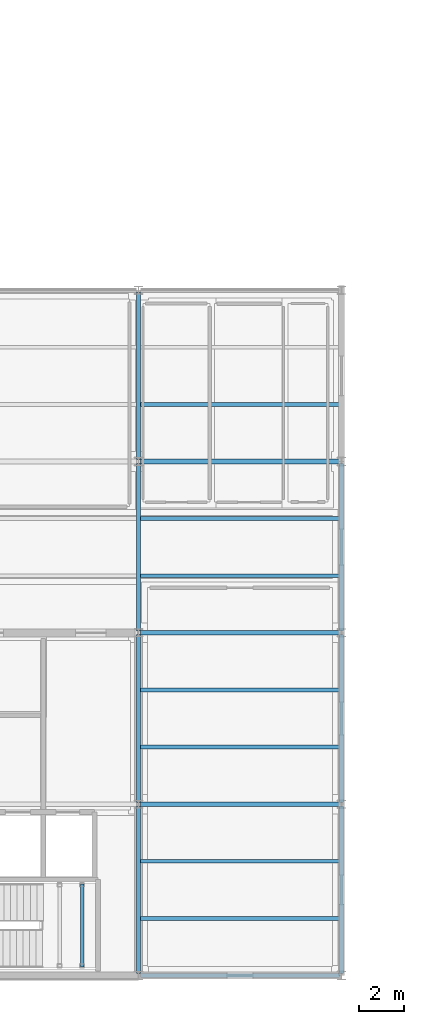
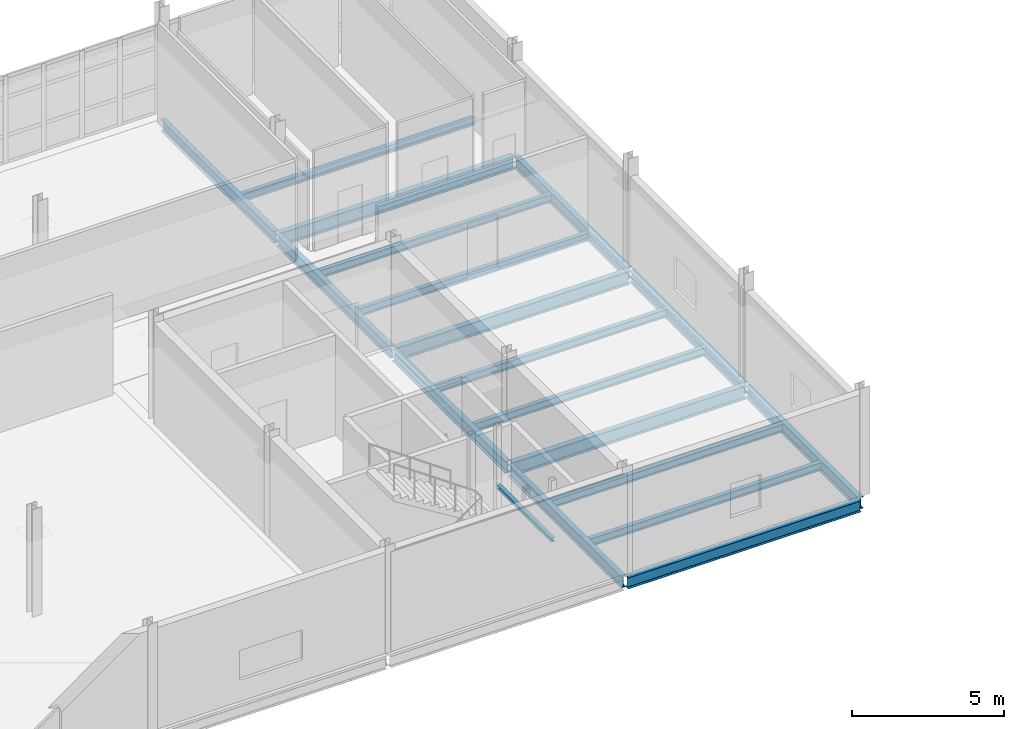
# One storey, part 57 of 174: 19 beams.
"""IFC4 building model written with IfcOpenShell, lengths in metres."""

from ifc_helpers import new_model, si_unit, direction, frame, origin, origin_2d, place, context, subcontext, project, spatial, i_section, extrude, material, material_profile, profile_set, type_object, element, save


model = new_model("IFC4")

# Units and contexts
model_context = context("Model", 3, precision=1e-05, world=origin(), true_north=direction((0.0, 1.0)))
body_context = subcontext(model_context, "Body", "Model", "MODEL_VIEW")
ifc_project = project(units=[si_unit("LENGTHUNIT", "METRE"), si_unit("AREAUNIT", "SQUARE_METRE"), si_unit("VOLUMEUNIT", "CUBIC_METRE"), si_unit("PLANEANGLEUNIT", "RADIAN"), si_unit("MASSUNIT", "GRAM", prefix="KILO")], contexts=[model_context])

# Site, building, storey
site_placement = place(None, origin())
site = spatial("IfcSite", under=ifc_project, at=site_placement, CompositionType="ELEMENT")
building_placement = place(site_placement, origin())
building = spatial("IfcBuilding", under=site, at=building_placement, Name="Caisbarro Railhouse Central Library", CompositionType="ELEMENT")
storey_placement = place(building_placement, frame((0.0, 0.0, 5.0400390625)))
storey = spatial("IfcBuildingStorey", under=building, at=storey_placement, Name="L01", CompositionType="ELEMENT", Elevation=5.0400390625)

# Beams
ifc_material = material(Name="Steel ASTM A572 Grade 50", Category="steel")
ifc_material_profile_1 = material_profile(ifc_material, i_section(OverallWidth=0.2119140625, OverallDepth=0.5439453125, WebThickness=0.01318359375, FlangeThickness=0.021240234375, FilletRadius=0.02001953125, at=origin_2d()), Name="W530X123.0")
ifc_profile_set_1 = profile_set([ifc_material_profile_1], Name="Steel ASTM A572 Grade 50")
beam_type_1 = type_object("IfcBeamType", Name="BM-G05", PredefinedType="BEAM", material=ifc_profile_set_1)
for number, where, z_axis, x_axis, name in (
    (1, (99.080078125, 7.60009765625, -0.511962890625), (1.0, 0.0, 0.0), (0.0, 1.0, 0.0), "G05 beam L01 #703"),
    (2, (99.080078125, 15.199951171875, -0.511962890625), (1.0, 0.0, 0.0), (0.0, 1.0, 0.0), "G05 beam L01 #709"),
    (3, (99.080078125, 22.800048828125, -0.511962890625), (1.0, 0.0, 0.0), (0.0, 1.0, 0.0), "G05 beam L01 #715"),
):
    element("IfcBeam", number, at=place(storey_placement, frame(where, z_axis=z_axis, x_axis=x_axis)), inside=storey, type_object=beam_type_1, Name=name, PredefinedType="BEAM", context=body_context, shape_type="SweptSolid", body=[
        extrude(i_section(OverallWidth=0.2119140625, OverallDepth=0.5439453125, WebThickness=0.01318359375, FlangeThickness=0.021240234375, FilletRadius=0.02001953125, at=origin_2d()), origin(), (0.0, 0.0, 1.0), 8.83984375),
    ])
ifc_material_profile_2 = material_profile(ifc_material, i_section(OverallWidth=0.194091796875, OverallDepth=0.468994140625, WebThickness=0.0126953125, FlangeThickness=0.0205078125, FilletRadius=0.01806640625, at=origin_2d()), Name="W460X106.0")
ifc_profile_set_2 = profile_set([ifc_material_profile_2], Name="Steel ASTM A572 Grade 50")
beam_type_2 = type_object("IfcBeamType", Name="BM-G07", PredefinedType="BEAM", material=ifc_profile_set_2)
beam_1_placement = place(storey_placement, frame((99.0, 0.080078125, -0.474609375), z_axis=(0.0, 1.0, 0.0), x_axis=(-1.0, 0.0, 0.0)))
element("IfcBeam", 4, at=beam_1_placement, inside=storey, type_object=beam_type_2, Name="G07 beam L01 #742", PredefinedType="BEAM", context=body_context, shape_type="SweptSolid", body=[
    extrude(i_section(OverallWidth=0.194091796875, OverallDepth=0.468994140625, WebThickness=0.0126953125, FlangeThickness=0.0205078125, FilletRadius=0.01806640625, at=origin_2d()), origin(), (0.0, 0.0, 1.0), 7.43994140625),
])
beam_2_placement = place(storey_placement, frame((99.0, 7.679931640625, -0.474609375), z_axis=(0.0, 1.0, 0.0), x_axis=(-1.0, 0.0, 0.0)))
element("IfcBeam", 5, at=beam_2_placement, inside=storey, type_object=beam_type_2, Name="G07 beam L01 #743", PredefinedType="BEAM", context=body_context, shape_type="SweptSolid", body=[
    extrude(i_section(OverallWidth=0.194091796875, OverallDepth=0.468994140625, WebThickness=0.0126953125, FlangeThickness=0.0205078125, FilletRadius=0.01806640625, at=origin_2d()), origin(), (0.0, 0.0, 1.0), 7.440185546875),
])
beam_3_placement = place(storey_placement, frame((99.0, 15.280029296875, -0.474609375), z_axis=(0.0, 1.0, 0.0), x_axis=(-1.0, 0.0, 0.0)))
element("IfcBeam", 6, at=beam_3_placement, inside=storey, type_object=beam_type_2, Name="G07 beam L01 #744", PredefinedType="BEAM", context=body_context, shape_type="SweptSolid", body=[
    extrude(i_section(OverallWidth=0.194091796875, OverallDepth=0.468994140625, WebThickness=0.0126953125, FlangeThickness=0.0205078125, FilletRadius=0.01806640625, at=origin_2d()), origin(), (0.0, 0.0, 1.0), 7.43994140625),
])
beam_4_placement = place(storey_placement, frame((99.0, 22.8798828125, -0.474609375), z_axis=(0.0, 1.0, 0.0), x_axis=(-1.0, 0.0, 0.0)))
element("IfcBeam", 7, at=beam_4_placement, inside=storey, type_object=beam_type_2, Name="G07 beam L01 #745", PredefinedType="BEAM", context=body_context, shape_type="SweptSolid", body=[
    extrude(i_section(OverallWidth=0.194091796875, OverallDepth=0.468994140625, WebThickness=0.0126953125, FlangeThickness=0.0205078125, FilletRadius=0.01806640625, at=origin_2d()), origin(), (0.0, 0.0, 1.0), 7.440185546875),
])
beam_5_placement = place(storey_placement, frame((108.0, 0.080078125, -0.474609375), z_axis=(0.0, 1.0, 0.0), x_axis=(-1.0, 0.0, 0.0)))
element("IfcBeam", 8, at=beam_5_placement, inside=storey, type_object=beam_type_2, Name="G07 beam L01 #746", PredefinedType="BEAM", context=body_context, shape_type="SweptSolid", body=[
    extrude(i_section(OverallWidth=0.194091796875, OverallDepth=0.468994140625, WebThickness=0.0126953125, FlangeThickness=0.0205078125, FilletRadius=0.01806640625, at=origin_2d()), origin(), (0.0, 0.0, 1.0), 7.43994140625),
])
beam_6_placement = place(storey_placement, frame((108.0, 7.679931640625, -0.474609375), z_axis=(0.0, 1.0, 0.0), x_axis=(-1.0, 0.0, 0.0)))
element("IfcBeam", 9, at=beam_6_placement, inside=storey, type_object=beam_type_2, Name="G07 beam L01 #747", PredefinedType="BEAM", context=body_context, shape_type="SweptSolid", body=[
    extrude(i_section(OverallWidth=0.194091796875, OverallDepth=0.468994140625, WebThickness=0.0126953125, FlangeThickness=0.0205078125, FilletRadius=0.01806640625, at=origin_2d()), origin(), (0.0, 0.0, 1.0), 7.440185546875),
])
beam_7_placement = place(storey_placement, frame((108.0, 15.280029296875, -0.474609375), z_axis=(0.0, 1.0, 0.0), x_axis=(-1.0, 0.0, 0.0)))
element("IfcBeam", 10, at=beam_7_placement, inside=storey, type_object=beam_type_2, Name="G07 beam L01 #748", PredefinedType="BEAM", context=body_context, shape_type="SweptSolid", body=[
    extrude(i_section(OverallWidth=0.194091796875, OverallDepth=0.468994140625, WebThickness=0.0126953125, FlangeThickness=0.0205078125, FilletRadius=0.01806640625, at=origin_2d()), origin(), (0.0, 0.0, 1.0), 7.43994140625),
])
ifc_material_profile_3 = material_profile(ifc_material, i_section(OverallWidth=0.1669921875, OverallDepth=0.31689453125, WebThickness=0.007568359375, FlangeThickness=0.01318359375, FilletRadius=0.011962890625, at=origin_2d()), Name="W310X52.0")
ifc_profile_set_3 = profile_set([ifc_material_profile_3], Name="Steel ASTM A572 Grade 50")
beam_type_3 = type_object("IfcBeamType", Name="BM-J02", PredefinedType="JOIST", material=ifc_profile_set_3)
for number, where, z_axis, x_axis, name in (
    (11, (99.096923828125, 2.533203125, -0.3984375), (1.0, 0.0, 0.0), (0.0, 1.0, 0.0), "J02 beam L01 #782"),
    (12, (99.096923828125, 5.066650390625, -0.3984375), (1.0, 0.0, 0.0), (0.0, 1.0, 0.0), "J02 beam L01 #783"),
    (13, (99.096923828125, 10.13330078125, -0.3984375), (1.0, 0.0, 0.0), (0.0, 1.0, 0.0), "J02 beam L01 #784"),
    (14, (99.096923828125, 12.666748046875, -0.3984375), (1.0, 0.0, 0.0), (0.0, 1.0, 0.0), "J02 beam L01 #785"),
    (15, (99.096923828125, 17.7333984375, -0.3984375), (1.0, 0.0, 0.0), (0.0, 1.0, 0.0), "J02 beam L01 #786"),
    (16, (99.096923828125, 20.2666015625, -0.3984375), (1.0, 0.0, 0.0), (0.0, 1.0, 0.0), "J02 beam L01 #787"),
    (17, (99.096923828125, 25.333251953125, -0.3984375), (1.0, 0.0, 0.0), (0.0, 1.0, 0.0), "J02 beam L01 #788"),
):
    element("IfcBeam", number, at=place(storey_placement, frame(where, z_axis=z_axis, x_axis=x_axis)), inside=storey, type_object=beam_type_3, Name=name, PredefinedType="JOIST", context=body_context, shape_type="SweptSolid", body=[
        extrude(i_section(OverallWidth=0.1669921875, OverallDepth=0.31689453125, WebThickness=0.007568359375, FlangeThickness=0.01318359375, FilletRadius=0.011962890625, at=origin_2d()), origin(), (0.0, 0.0, 1.0), 8.80615234375),
    ])
ifc_material_profile_4 = material_profile(ifc_material, i_section(OverallWidth=0.152099609375, OverallDepth=0.152099609375, WebThickness=0.005859375, FlangeThickness=0.006591796875, FilletRadius=0.008056640625, at=origin_2d()), Name="W150X22.5")
ifc_profile_set_4 = profile_set([ifc_material_profile_4], Name="Steel ASTM A572 Grade 50")
beam_type_4 = type_object("IfcBeamType", Name="BM-SL01", PredefinedType="BEAM", material=ifc_profile_set_4)
beam_8_placement = place(storey_placement, frame((96.5, 0.3798828125, 1.89404296875), z_axis=(0.0, 1.0, 0.0), x_axis=(-1.0, 0.0, 0.0)))
element("IfcBeam", 18, at=beam_8_placement, inside=storey, type_object=beam_type_4, Name="SL01 Stair Landing Support Beam K2 L01 E", PredefinedType="BEAM", context=body_context, shape_type="SweptSolid", body=[
    extrude(i_section(OverallWidth=0.152099609375, OverallDepth=0.152099609375, WebThickness=0.005859375, FlangeThickness=0.006591796875, FilletRadius=0.008056640625, at=origin_2d()), origin(), (0.0, 0.0, 1.0), 3.690185546875),
])
ifc_material_profile_5 = material_profile(ifc_material, i_section(OverallWidth=0.18994140625, OverallDepth=0.45703125, WebThickness=0.009033203125, FlangeThickness=0.014404296875, FilletRadius=0.01806640625, at=origin_2d()), Name="W460X74.0")
ifc_profile_set_5 = profile_set([ifc_material_profile_5], Name="Steel ASTM A572 Grade 50")
beam_type_5 = type_object("IfcBeamType", Name="BM-SP01", PredefinedType="SPANDREL", material=ifc_profile_set_5)
beam_9_placement = place(storey_placement, frame((99.080078125, 0.0, -0.468505859375), z_axis=(1.0, 0.0, 0.0), x_axis=(0.0, 1.0, 0.0)))
element("IfcBeam", 19, at=beam_9_placement, inside=storey, type_object=beam_type_5, Name="SP01 beam L01 #697", PredefinedType="SPANDREL", context=body_context, shape_type="SweptSolid", body=[
    extrude(i_section(OverallWidth=0.18994140625, OverallDepth=0.45703125, WebThickness=0.009033203125, FlangeThickness=0.014404296875, FilletRadius=0.01806640625, at=origin_2d()), origin(), (0.0, 0.0, 1.0), 8.83984375),
])

save(model, "model.ifc")
